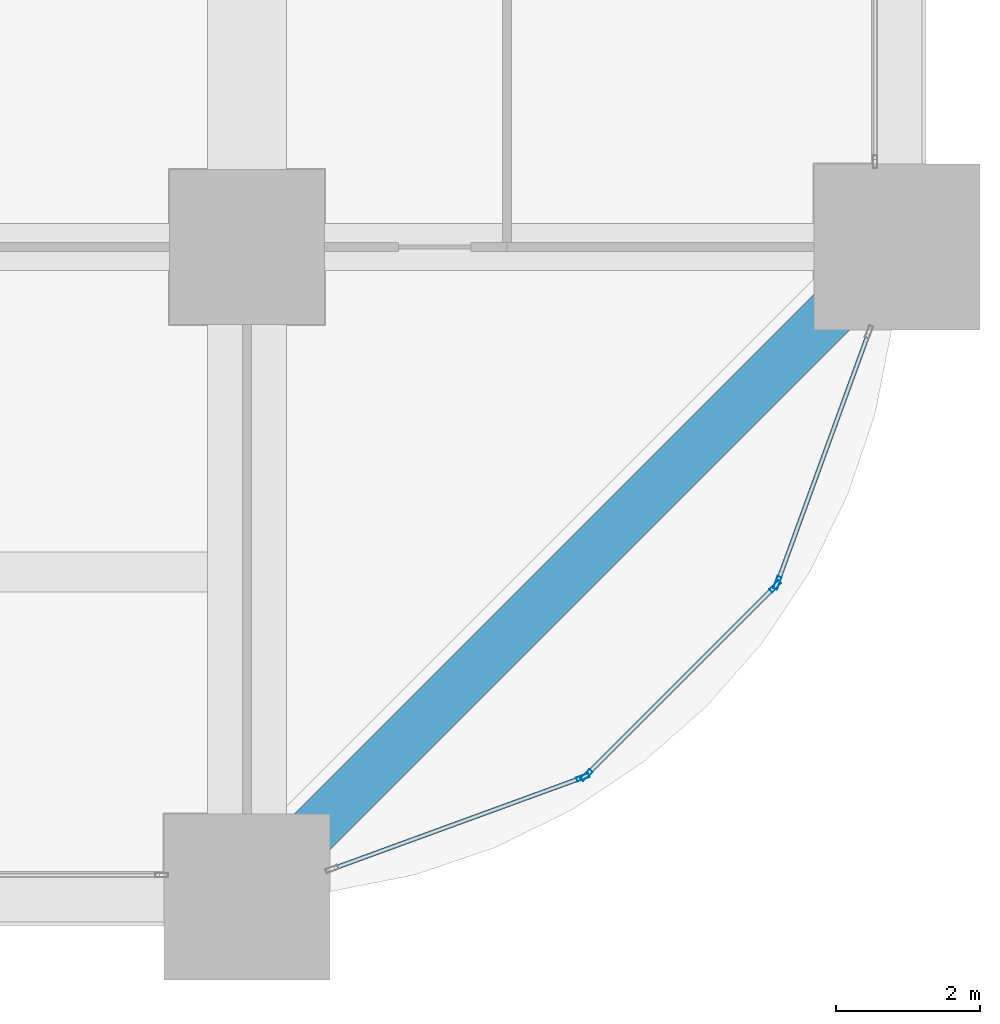
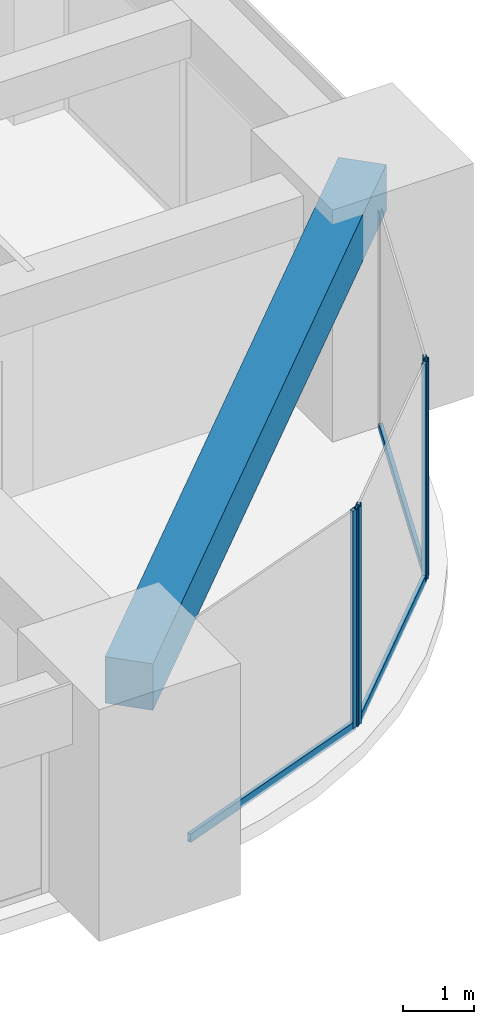
# One storey, part 16 of 44: 7 members, 1 beam, 3 elements without a shape of their own.
"""IFC4 building model written with IfcOpenShell, lengths in metres."""

from ifc_helpers import new_model, si_unit, direction, frame, origin, origin_2d, place, context, subcontext, project, spatial, rectangle, hollow_rectangle, extrude, material, material_profile, profile_set, type_object, element, aggregate, save


model = new_model("IFC4")

# Units and contexts
model_context = context("Model", 3, precision=1e-05, world=origin(), true_north=direction((0.0, 1.0)))
body_context = subcontext(model_context, "Body", "Model", "MODEL_VIEW")
ifc_project = project(units=[si_unit("LENGTHUNIT", "METRE"), si_unit("AREAUNIT", "SQUARE_METRE"), si_unit("VOLUMEUNIT", "CUBIC_METRE"), si_unit("PLANEANGLEUNIT", "RADIAN"), si_unit("MASSUNIT", "GRAM", prefix="KILO")], contexts=[model_context])

# Site, building, storey
site_placement = place(None, origin())
site = spatial("IfcSite", under=ifc_project, at=site_placement, CompositionType="ELEMENT")
building_placement = place(site_placement, origin())
building = spatial("IfcBuilding", under=site, at=building_placement, Name="Zorevar Civic Tower", CompositionType="ELEMENT")
storey_placement = place(building_placement, frame((0.0, 0.0, 55.800048828125)))
storey = spatial("IfcBuildingStorey", under=building, at=storey_placement, Name="L13", CompositionType="ELEMENT", Elevation=55.800048828125)

# Curtain wall, member
ifc_material_1 = material(Name="Dark grey solar-control glass in black aluminium frame", Category="aluminium")
curtain_wall_type = type_object("IfcCurtainWallType", Name="Curtain wall CW2 low zone", PredefinedType="NOTDEFINED", material=ifc_material_1)
curtain_wall_1_placement = place(storey_placement, origin())
curtain_wall_1 = element("IfcCurtainWall", 1, at=curtain_wall_1_placement, inside=storey, type_object=curtain_wall_type, Name="CW2 L13", PredefinedType="NOTDEFINED")
ifc_material_2 = material(Name="Aluminium, black anodised", Category="aluminium")
ifc_material_profile_1 = material_profile(ifc_material_2, hollow_rectangle(XDim=0.06005859375, YDim=0.179931640625, WallThickness=0.00390625, at=origin_2d()), Name="AL 180x60x4")
ifc_profile_set_1 = profile_set([ifc_material_profile_1], Name="Aluminium, black anodised")
member_type_1 = type_object("IfcMemberType", Name="CW2 mullion AL 180x60x4", PredefinedType="MULLION", material=ifc_profile_set_1)
member_1_placement = place(storey_placement, frame((58.650390625, 1.65478515625, 0.0), z_axis=(0.0, 0.0, 1.0), x_axis=(-0.343060400701, 0.939313345732, 0.0)))
member_1 = element("IfcMember", 2, at=member_1_placement, type_object=member_type_1, Name="CW2 mullion 2", PredefinedType="MULLION", context=body_context, shape_type="SweptSolid", body=[
    extrude(hollow_rectangle(XDim=0.06005859375, YDim=0.179931640625, WallThickness=0.00390625, at=origin_2d()), origin(), (0.0, 0.0, 1.0), 3.75),
])

# Curtain wall, members
curtain_wall_2_placement = place(storey_placement, origin())
curtain_wall_2 = element("IfcCurtainWall", 3, at=curtain_wall_2_placement, inside=storey, type_object=curtain_wall_type, Name="CW2 L13", PredefinedType="NOTDEFINED")
member_2_placement = place(storey_placement, frame((58.69970703125, 1.686279296875, 0.0), z_axis=(0.0, 0.0, 1.0), x_axis=(-0.707106781187, 0.707106781187, 0.0)))
member_2 = element("IfcMember", 4, at=member_2_placement, type_object=member_type_1, Name="CW2 mullion 1", PredefinedType="MULLION", context=body_context, shape_type="SweptSolid", body=[
    extrude(hollow_rectangle(XDim=0.06005859375, YDim=0.179931640625, WallThickness=0.00390625, at=origin_2d()), origin(), (0.0, 0.0, 1.0), 3.75),
])
member_3_placement = place(storey_placement, frame((61.313720703125, 4.30029296875, 0.0), z_axis=(0.0, 0.0, 1.0), x_axis=(-0.707106781187, 0.707106781187, 0.0)))
member_3 = element("IfcMember", 5, at=member_3_placement, type_object=member_type_1, Name="CW2 mullion 2", PredefinedType="MULLION", context=body_context, shape_type="SweptSolid", body=[
    extrude(hollow_rectangle(XDim=0.06005859375, YDim=0.179931640625, WallThickness=0.00390625, at=origin_2d()), origin(), (0.0, 0.0, 1.0), 3.75),
])

# Curtain wall, member
curtain_wall_3_placement = place(storey_placement, origin())
curtain_wall_3 = element("IfcCurtainWall", 6, at=curtain_wall_3_placement, inside=storey, type_object=curtain_wall_type, Name="CW2 L13", PredefinedType="NOTDEFINED")
member_4_placement = place(storey_placement, frame((61.34521484375, 4.349609375, 0.0), z_axis=(0.0, 0.0, 1.0), x_axis=(-0.939313345732, 0.343060400701, 0.0)))
member_4 = element("IfcMember", 7, at=member_4_placement, type_object=member_type_1, Name="CW2 mullion 1", PredefinedType="MULLION", context=body_context, shape_type="SweptSolid", body=[
    extrude(hollow_rectangle(XDim=0.06005859375, YDim=0.179931640625, WallThickness=0.00390625, at=origin_2d()), origin(), (0.0, 0.0, 1.0), 3.75),
])

# Member
ifc_material_3 = material(Name="Aluminium, black anodised", Category="aluminium")
ifc_material_profile_2 = material_profile(ifc_material_3, hollow_rectangle(XDim=0.06005859375, YDim=0.14990234375, WallThickness=0.00390625, at=origin_2d()), Name="AL 150x60x4")
ifc_profile_set_2 = profile_set([ifc_material_profile_2], Name="Aluminium, black anodised")
member_type_2 = type_object("IfcMemberType", Name="CW2 transom AL 150x60x4", PredefinedType="USERDEFINED", material=ifc_profile_set_2)
member_5_placement = place(storey_placement, frame((55.206298828125, 0.39697265625, 0.030029296875), z_axis=(0.939318180432, 0.343047162808, 0.0), x_axis=(-0.343047162808, 0.939318180432, 0.0)))
member_5 = element("IfcMember", 8, at=member_5_placement, type_object=member_type_2, Name="CW2 sill transom", ObjectType="TRANSOM", PredefinedType="USERDEFINED", context=body_context, shape_type="SweptSolid", body=[
    extrude(hollow_rectangle(XDim=0.06005859375, YDim=0.14990234375, WallThickness=0.00390625, at=origin_2d()), origin(), (0.0, 0.0, 1.0), 3.63671875),
])

aggregate(curtain_wall_1, [member_1, member_5])

member_6_placement = place(storey_placement, frame((58.720947265625, 1.70751953125, 0.030029296875), z_axis=(0.707106781187, 0.707106781187, 0.0), x_axis=(-0.707106781187, 0.707106781187, 0.0)))
member_6 = element("IfcMember", 9, at=member_6_placement, type_object=member_type_2, Name="CW2 sill transom", ObjectType="TRANSOM", PredefinedType="USERDEFINED", context=body_context, shape_type="SweptSolid", body=[
    extrude(hollow_rectangle(XDim=0.06005859375, YDim=0.14990234375, WallThickness=0.00390625, at=origin_2d()), origin(), (0.0, 0.0, 1.0), 3.63671875),
])

aggregate(curtain_wall_2, [member_2, member_3, member_6])

member_7_placement = place(storey_placement, frame((61.35546875, 4.377685546875, 0.030029296875), z_axis=(0.343047162808, 0.939318180432, 0.0), x_axis=(-0.939318180432, 0.343047162808, 0.0)))
member_7 = element("IfcMember", 10, at=member_7_placement, type_object=member_type_2, Name="CW2 sill transom", ObjectType="TRANSOM", PredefinedType="USERDEFINED", context=body_context, shape_type="SweptSolid", body=[
    extrude(hollow_rectangle(XDim=0.06005859375, YDim=0.14990234375, WallThickness=0.00390625, at=origin_2d()), origin(), (0.0, 0.0, 1.0), 3.63671875),
])

aggregate(curtain_wall_3, [member_4, member_7])

# Beam
ifc_material_4 = material(Name="Concrete C50/60", Category="concrete")
ifc_material_profile_3 = material_profile(ifc_material_4, rectangle(XDim=0.699951171875, YDim=0.800048828125, at=origin_2d()), Name="RC 700x800")
ifc_profile_set_3 = profile_set([ifc_material_profile_3], Name="Concrete C50/60")
beam_type = type_object("IfcBeamType", Name="Edge beam RC 700x800", PredefinedType="SPANDREL", material=ifc_profile_set_3)
beam_placement = place(storey_placement, frame((54.0, 0.0, 3.349853515625), z_axis=(0.707106781187, 0.707106781187, 0.0), x_axis=(-0.707106781187, 0.707106781187, 0.0)))
element("IfcBeam", 11, at=beam_placement, inside=storey, type_object=beam_type, Name="Corner edge beam L14", PredefinedType="SPANDREL", context=body_context, shape_type="SweptSolid", body=[
    extrude(rectangle(XDim=0.699951171875, YDim=0.800048828125, at=origin_2d()), origin(), (0.0, 0.0, 1.0), 12.72802734375),
])

save(model, "model.ifc")
